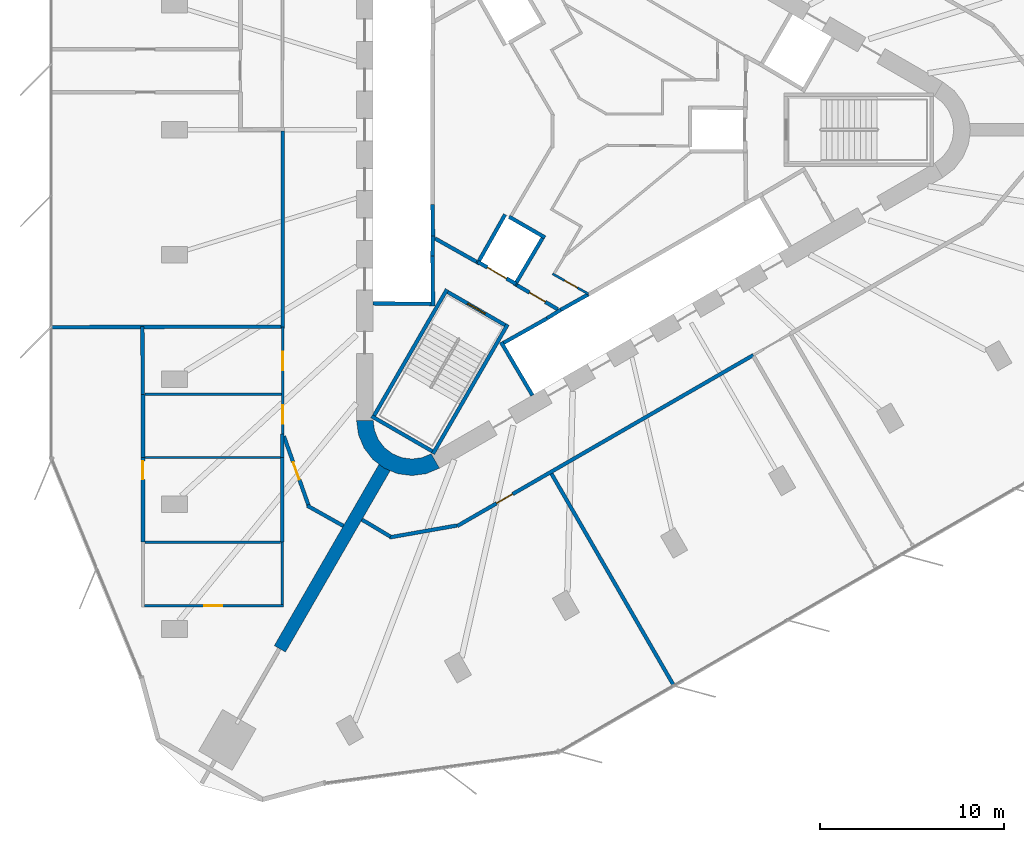
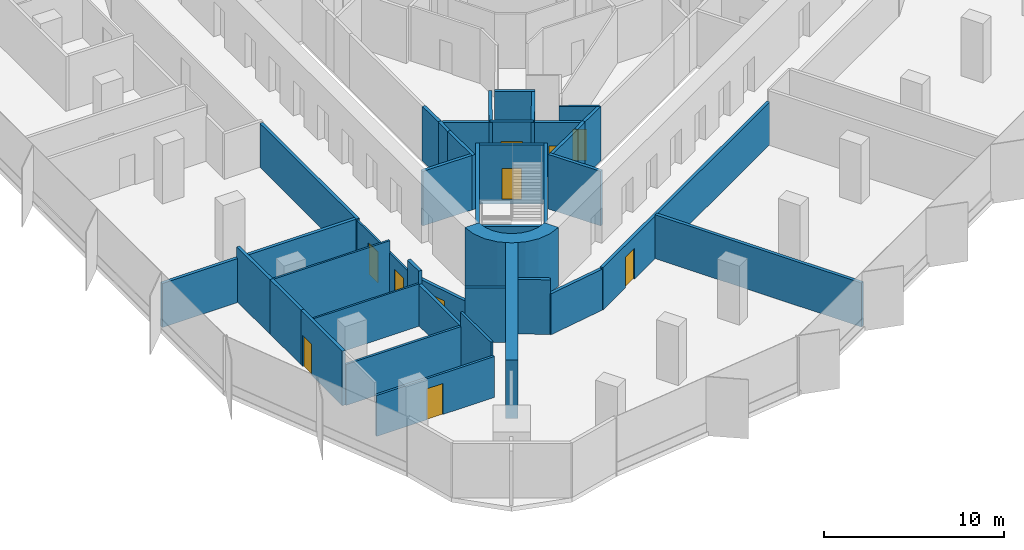
# One storey, part 8 of 14: 40 walls, 10 doors, 10 openings.
"""IFC4 building model written with IfcOpenShell, lengths in metres."""

from ifc_helpers import new_model, si_unit, direction, frame, frame_2d, origin, place, context, subcontext, project, spatial, polyline, rectangle, outline, extrude, material, layer, layer_set, type_object, element, fill, save


model = new_model("IFC4")

# Units and contexts
model_context = context("Model", 3, precision=1e-05, world=origin(), true_north=direction((0.0, 1.0)))
body_context = subcontext(model_context, "Body", "Model", "MODEL_VIEW")
ifc_project = project(units=[si_unit("LENGTHUNIT", "METRE"), si_unit("AREAUNIT", "SQUARE_METRE"), si_unit("VOLUMEUNIT", "CUBIC_METRE"), si_unit("PLANEANGLEUNIT", "RADIAN"), si_unit("MASSUNIT", "GRAM", prefix="KILO")], contexts=[model_context])

# Site, building, storey
site_placement = place(None, origin())
site = spatial("IfcSite", under=ifc_project, at=site_placement, CompositionType="ELEMENT")
building_placement = place(site_placement, origin())
building = spatial("IfcBuilding", under=site, at=building_placement, Name="Tanit Gate Tower", CompositionType="ELEMENT")
storey_placement = place(building_placement, frame((0.0, 0.0, 229.199951171875)))
storey = spatial("IfcBuildingStorey", under=building, at=storey_placement, Name="L51", CompositionType="ELEMENT", Elevation=229.199951171875)

# Walls
ifc_material_1 = material(Name="Concrete C50/60", Category="concrete")
ifc_layer_1 = layer(ifc_material_1, 0.699951171875)
ifc_layer_set_1 = layer_set([ifc_layer_1], Name="BUTTRESS FIN 700 C50/60")
wall_type_1 = type_object("IfcWallType", Name="BUTTRESS FIN 700 C50/60", PredefinedType="SHEAR", material=ifc_layer_set_1)
wall_1_placement = place(storey_placement, frame((-10.574951171875, -18.31640625, 0.0), z_axis=(0.0, 0.0, 1.0), x_axis=(-0.499996344484, -0.866027514288, 0.0)))
element("IfcWall", 1, at=wall_1_placement, inside=storey, type_object=wall_type_1, Name="BUTTRESS FIN", PredefinedType="SHEAR", context=body_context, shape_type="SweptSolid", body=[
    extrude(rectangle(XDim=11.3681640625, YDim=0.699951171875, at=frame_2d((5.68408203125, 0.0))), origin(), (0.0, 0.0, 1.0), 4.0),
])
ifc_material_2 = material(Name="Concrete C50/60", Category="concrete")
ifc_layer_2 = layer(ifc_material_2, 0.89990234375)
ifc_layer_set_2 = layer_set([ifc_layer_2], Name="CORE WALL 900 C50/60")
wall_type_2 = type_object("IfcWallType", Name="CORE WALL 900 C50/60", PredefinedType="SHEAR", material=ifc_layer_set_2)
wall_2_placement = place(storey_placement, origin())
element("IfcWall", 2, at=wall_2_placement, inside=storey, type_object=wall_type_2, Name="CORE WALL CORNER", PredefinedType="SHEAR", context=body_context, shape_type="SweptSolid", body=[
    extrude(outline(polyline([(-12.10009765625, -15.76171875), (-11.997802734375, -16.5380859375), (-11.697998046875, -17.26171875), (-11.22119140625, -17.883056640625), (-10.60009765625, -18.359619140625), (-9.87646484375, -18.659423828125), (-9.10009765625, -18.76171875), (-8.323486328125, -18.659423828125), (-7.60009765625, -18.359619140625), (-8.050048828125, -17.580322265625), (-8.556396484375, -17.7900390625), (-9.10009765625, -17.86181640625), (-9.6435546875, -17.7900390625), (-10.14990234375, -17.580322265625), (-10.5849609375, -17.24658203125), (-10.918701171875, -16.811767578125), (-11.12841796875, -16.30517578125), (-11.199951171875, -15.76171875), (-12.10009765625, -15.76171875)])), origin(), (0.0, 0.0, 1.0), 4.0),
])
ifc_material_3 = material(Name="Fire-rated gypsum board partition")
ifc_layer_3 = layer(ifc_material_3, 0.199951171875)
ifc_layer_set_3 = layer_set([ifc_layer_3], Name="INT-WALL-COMPARTMENT")
wall_type_3 = type_object("IfcWallType", Name="INT-WALL-COMPARTMENT", PredefinedType="PARTITIONING", material=ifc_layer_set_3)
wall_3_placement = place(storey_placement, frame((-7.84912109375, -5.893798828125, 0.0), z_axis=(0.0, 0.0, 1.0), x_axis=(0.871340486379, -0.490678873396, 0.0)))
element("IfcWall", 3, at=wall_3_placement, inside=storey, type_object=wall_type_3, Name="Wall Compartment W065", PredefinedType="PARTITIONING", context=body_context, shape_type="SweptSolid", body=[
    extrude(rectangle(XDim=2.580810546875, YDim=0.199951171875, at=frame_2d((1.29052734375, 0.0))), origin(), (0.0, 0.0, 1.0), 3.699951171875),
])

# Wall, opening, door
wall_4_placement = place(storey_placement, frame((-3.400634765625, -8.43017578125, 0.0), z_axis=(0.0, 0.0, 1.0), x_axis=(0.860598681535, -0.509283721849, 0.0)))
wall_4 = element("IfcWall", 4, at=wall_4_placement, inside=storey, type_object=wall_type_3, Name="Wall Compartment W066", PredefinedType="PARTITIONING", context=body_context, shape_type="SweptSolid", body=[
    extrude(rectangle(XDim=2.5810546875, YDim=0.199951171875, at=frame_2d((1.29052734375, 0.0))), origin(), (0.0, 0.0, 1.0), 3.699951171875),
])
opening_1_placement = place(wall_4_placement, frame((0.79052734375, 0.0, 0.0)))
opening_1 = element("IfcOpeningElement", 5, at=opening_1_placement, cuts=wall_4, Name="Opening F10-S14-08", PredefinedType="OPENING", context=body_context, shape_type="SweptSolid", body=[
    extrude(rectangle(XDim=1.0, YDim=2.10009765625, at=frame_2d((0.5, 1.050048828125))), frame((0.0, 0.10986328125, 0.0), z_axis=(0.0, -1.0, 0.0), x_axis=(1.0, 0.0, 0.0)), (0.0, 0.0, 1.0), 0.219970703125),
])
ifc_material_4 = material(Name="Fire-rated steel door leaf", Category="steel")
door_type_1 = type_object("IfcDoorType", Name="INT-DOOR-FIRE-1000", OperationType="NOTDEFINED", PredefinedType="USERDEFINED", material=ifc_material_4)
door_1_placement = place(opening_1_placement, origin())
door_1 = element("IfcDoor", 6, at=door_1_placement, inside=storey, type_object=door_type_1, Name="Door F10-S14-08", ObjectType="FIRE DOOR", OperationType="SINGLE_SWING_LEFT", OverallHeight=2.10009765625, OverallWidth=1.0, PredefinedType="USERDEFINED", context=body_context, shape_type="SweptSolid", body=[
    extrude(rectangle(XDim=1.0, YDim=2.10009765625, at=frame_2d((0.5, 1.050048828125))), frame((0.0, 0.02490234375, 0.0), z_axis=(0.0, -1.0, 0.0), x_axis=(1.0, 0.0, 0.0)), (0.0, 0.0, 1.0), 0.050048828125),
])
fill(opening_1, door_1)

# Wall
wall_5_placement = place(storey_placement, frame((-14.781005859375, -20.388671875, 0.0), z_axis=(0.0, 0.0, 1.0), x_axis=(0.871979734391, -0.489541972471, 0.0)))
element("IfcWall", 7, at=wall_5_placement, inside=storey, type_object=wall_type_3, Name="Wall Compartment W103", PredefinedType="PARTITIONING", context=body_context, shape_type="SweptSolid", body=[
    extrude(rectangle(XDim=2.256591796875, YDim=0.199951171875, at=frame_2d((1.12841796875, 0.0))), origin(), (0.0, 0.0, 1.0), 3.699951171875),
])

# Wall, opening, door
wall_6_placement = place(storey_placement, frame((-16.04248046875, -16.623046875, 0.0), z_axis=(0.0, 0.0, 1.0), x_axis=(0.335572111171, -0.942014521228, 0.0)))
wall_6 = element("IfcWall", 8, at=wall_6_placement, inside=storey, type_object=wall_type_3, Name="Wall Compartment W104", PredefinedType="PARTITIONING", context=body_context, shape_type="SweptSolid", body=[
    extrude(rectangle(XDim=4.00732421875, YDim=0.199951171875, at=frame_2d((2.003662109375, 0.0))), origin(), (0.0, 0.0, 1.0), 2.780029296875),
])
opening_2_placement = place(wall_6_placement, frame((1.503662109375, 0.0, 0.0)))
opening_2 = element("IfcOpeningElement", 9, at=opening_2_placement, cuts=wall_6, Name="Opening F10-S14-31", PredefinedType="OPENING", context=body_context, shape_type="SweptSolid", body=[
    extrude(rectangle(XDim=1.0, YDim=2.10009765625, at=frame_2d((0.5, 1.050048828125))), frame((0.0, 0.10986328125, 0.0), z_axis=(0.0, -1.0, 0.0), x_axis=(1.0, 0.0, 0.0)), (0.0, 0.0, 1.0), 0.219970703125),
])
door_2_placement = place(opening_2_placement, origin())
door_2 = element("IfcDoor", 10, at=door_2_placement, inside=storey, type_object=door_type_1, Name="Door F10-S14-31", ObjectType="FIRE DOOR", OperationType="SINGLE_SWING_LEFT", OverallHeight=2.10009765625, OverallWidth=1.0, PredefinedType="USERDEFINED", context=body_context, shape_type="SweptSolid", body=[
    extrude(rectangle(XDim=1.0, YDim=2.10009765625, at=frame_2d((0.5, 1.050048828125))), frame((0.0, 0.02490234375, 0.0), z_axis=(0.0, -1.0, 0.0), x_axis=(1.0, 0.0, 0.0)), (0.0, 0.0, 1.0), 0.050048828125),
])
fill(opening_2, door_2)

# Wall
wall_7_placement = place(storey_placement, frame((-16.10009765625, -0.070068359375, 0.0), z_axis=(0.0, 0.0, 1.0), x_axis=(0.0, -1.0, 0.0)))
element("IfcWall", 11, at=wall_7_placement, inside=storey, type_object=wall_type_3, Name="Wall Compartment W105", PredefinedType="PARTITIONING", context=body_context, shape_type="SweptSolid", body=[
    extrude(rectangle(XDim=10.709716796875, YDim=0.199951171875, at=frame_2d((5.35498046875, 0.0))), origin(), (0.0, 0.0, 1.0), 2.97998046875),
])

# Wall, opening, door
wall_8_placement = place(storey_placement, frame((-6.64404296875, -21.5029296875, 0.0), z_axis=(0.0, 0.0, 1.0), x_axis=(0.866020815794, 0.500007946548, 0.0)))
wall_8 = element("IfcWall", 12, at=wall_8_placement, inside=storey, type_object=wall_type_3, Name="Wall Compartment W120", PredefinedType="PARTITIONING", context=body_context, shape_type="SweptSolid", body=[
    extrude(rectangle(XDim=18.555419921875, YDim=0.199951171875, at=frame_2d((9.27783203125, 0.0))), origin(), (0.0, 0.0, 1.0), 2.880126953125),
])
opening_3_placement = place(wall_8_placement, frame((2.476806640625, 0.0, 0.0)))
opening_3 = element("IfcOpeningElement", 13, at=opening_3_placement, cuts=wall_8, Name="Opening F10-S14-38", PredefinedType="OPENING", context=body_context, shape_type="SweptSolid", body=[
    extrude(rectangle(XDim=1.0, YDim=2.10009765625, at=frame_2d((0.5, 1.050048828125))), frame((0.0, 0.10986328125, 0.0), z_axis=(0.0, -1.0, 0.0), x_axis=(1.0, 0.0, 0.0)), (0.0, 0.0, 1.0), 0.219970703125),
])
door_3_placement = place(opening_3_placement, origin())
door_3 = element("IfcDoor", 14, at=door_3_placement, inside=storey, type_object=door_type_1, Name="Door F10-S14-38", ObjectType="FIRE DOOR", OperationType="SINGLE_SWING_RIGHT", OverallHeight=2.10009765625, OverallWidth=1.0, PredefinedType="USERDEFINED", context=body_context, shape_type="SweptSolid", body=[
    extrude(rectangle(XDim=1.0, YDim=2.10009765625, at=frame_2d((0.5, 1.050048828125))), frame((0.0, 0.02490234375, 0.0), z_axis=(0.0, -1.0, 0.0), x_axis=(1.0, 0.0, 0.0)), (0.0, 0.0, 1.0), 0.050048828125),
])
fill(opening_3, door_3)

# Walls
wall_9_placement = place(storey_placement, frame((-10.33154296875, -22.118408203125, 0.0), z_axis=(0.0, 0.0, 1.0), x_axis=(0.984805281118, 0.173662195893, 0.0)))
element("IfcWall", 15, at=wall_9_placement, inside=storey, type_object=wall_type_3, Name="Wall Compartment W121", PredefinedType="PARTITIONING", context=body_context, shape_type="SweptSolid", body=[
    extrude(rectangle(XDim=3.732421875, YDim=0.199951171875, at=frame_2d((1.8662109375, 0.0))), origin(), (0.0, 0.0, 1.0), 2.780029296875),
])
wall_10_placement = place(storey_placement, frame((-11.807373046875, -21.15087890625, 0.0), z_axis=(0.0, 0.0, 1.0), x_axis=(0.859102811579, -0.511803047214, 0.0)))
element("IfcWall", 16, at=wall_10_placement, inside=storey, type_object=wall_type_3, Name="Wall Compartment W122", PredefinedType="PARTITIONING", context=body_context, shape_type="SweptSolid", body=[
    extrude(rectangle(XDim=1.8017578125, YDim=0.199951171875, at=frame_2d((0.90087890625, 0.0))), origin(), (0.0, 0.0, 1.0), 3.699951171875),
])
wall_11_placement = place(storey_placement, frame((-28.654296875, -10.710693359375, 0.0), z_axis=(0.0, 0.0, 1.0), x_axis=(0.999996949666, 0.002469951104, 0.0)))
element("IfcWall", 17, at=wall_11_placement, inside=storey, type_object=wall_type_3, Name="Wall Compartment W125", PredefinedType="PARTITIONING", context=body_context, shape_type="SweptSolid", body=[
    extrude(rectangle(XDim=12.454345703125, YDim=0.199951171875, at=frame_2d((6.22705078125, 0.0))), origin(), (0.0, 0.0, 1.0), 2.97998046875),
])
wall_12_placement = place(storey_placement, frame((-23.6904296875, -14.3505859375, 0.0), z_axis=(0.0, 0.0, 1.0), x_axis=(-0.008048698241, 0.999967608704, 0.0)))
element("IfcWall", 18, at=wall_12_placement, inside=storey, type_object=wall_type_3, Name="Wall Compartment W128", PredefinedType="PARTITIONING", context=body_context, shape_type="SweptSolid", body=[
    extrude(rectangle(XDim=3.670166015625, YDim=0.199951171875, at=frame_2d((1.8349609375, 0.0))), origin(), (0.0, 0.0, 1.0), 3.699951171875),
])

# Wall, opening, door
wall_13_placement = place(storey_placement, frame((-23.68994140625, -22.373046875, 0.0), z_axis=(0.0, 0.0, 1.0), x_axis=(0.0, 1.0, 0.0)))
wall_13 = element("IfcWall", 19, at=wall_13_placement, inside=storey, type_object=wall_type_3, Name="Wall Compartment W131", PredefinedType="PARTITIONING", context=body_context, shape_type="SweptSolid", body=[
    extrude(rectangle(XDim=4.60009765625, YDim=0.199951171875, at=frame_2d((2.300048828125, 0.0))), origin(), (0.0, 0.0, 1.0), 3.699951171875),
])
opening_4_placement = place(wall_13_placement, frame((3.400146484375, 0.0, 0.0)))
opening_4 = element("IfcOpeningElement", 20, at=opening_4_placement, cuts=wall_13, Name="Opening F10-S14-29", PredefinedType="OPENING", context=body_context, shape_type="SweptSolid", body=[
    extrude(rectangle(XDim=1.0, YDim=2.10009765625, at=frame_2d((0.5, 1.050048828125))), frame((0.0, 0.10986328125, 0.0), z_axis=(0.0, -1.0, 0.0), x_axis=(1.0, 0.0, 0.0)), (0.0, 0.0, 1.0), 0.219970703125),
])
door_4_placement = place(opening_4_placement, origin())
door_4 = element("IfcDoor", 21, at=door_4_placement, inside=storey, type_object=door_type_1, Name="Door F10-S14-29", ObjectType="FIRE DOOR", OperationType="SINGLE_SWING_RIGHT", OverallHeight=2.10009765625, OverallWidth=1.0, PredefinedType="USERDEFINED", context=body_context, shape_type="SweptSolid", body=[
    extrude(rectangle(XDim=1.0, YDim=2.10009765625, at=frame_2d((0.5, 1.050048828125))), frame((0.0, 0.02490234375, 0.0), z_axis=(0.0, -1.0, 0.0), x_axis=(1.0, 0.0, 0.0)), (0.0, 0.0, 1.0), 0.050048828125),
])
fill(opening_4, door_4)

# Walls
wall_14_placement = place(storey_placement, frame((-23.68994140625, -17.77294921875, 0.0), z_axis=(0.0, 0.0, 1.0), x_axis=(0.0, 1.0, 0.0)))
element("IfcWall", 22, at=wall_14_placement, inside=storey, type_object=wall_type_3, Name="Wall Compartment W129", PredefinedType="PARTITIONING", context=body_context, shape_type="SweptSolid", body=[
    extrude(rectangle(XDim=3.42236328125, YDim=0.199951171875, at=frame_2d((1.711181640625, 0.0))), origin(), (0.0, 0.0, 1.0), 3.699951171875),
])
wall_15_placement = place(storey_placement, frame((-16.1298828125, -22.373046875, 0.0), z_axis=(0.0, 0.0, 1.0), x_axis=(0.0, 1.0, 0.0)))
element("IfcWall", 23, at=wall_15_placement, inside=storey, type_object=wall_type_3, Name="Wall Compartment W132", PredefinedType="PARTITIONING", context=body_context, shape_type="SweptSolid", body=[
    extrude(rectangle(XDim=4.60009765625, YDim=0.199951171875, at=frame_2d((2.300048828125, 0.0))), origin(), (0.0, 0.0, 1.0), 2.780029296875),
])
wall_16_placement = place(storey_placement, frame((-16.1298828125, -17.77294921875, 0.0), z_axis=(0.0, 0.0, 1.0), x_axis=(0.0, 1.0, 0.0)))
element("IfcWall", 24, at=wall_16_placement, inside=storey, type_object=wall_type_3, Name="Wall Compartment W130", PredefinedType="PARTITIONING", context=body_context, shape_type="SweptSolid", body=[
    extrude(rectangle(XDim=1.26025390625, YDim=0.199951171875, at=frame_2d((0.630126953125, 0.0))), origin(), (0.0, 0.0, 1.0), 3.699951171875),
])
wall_17_placement = place(storey_placement, frame((5.104248046875, -30.14208984375, 0.0), z_axis=(0.0, 0.0, 1.0), x_axis=(-0.500068930226, 0.865985603242, 0.0)))
element("IfcWall", 25, at=wall_17_placement, inside=storey, type_object=wall_type_3, Name="Wall Compartment W152", PredefinedType="PARTITIONING", context=body_context, shape_type="SweptSolid", body=[
    extrude(rectangle(XDim=13.256103515625, YDim=0.199951171875, at=frame_2d((6.6279296875, 0.0))), origin(), (0.0, 0.0, 1.0), 2.97998046875),
])

# Wall, opening, door
ifc_material_5 = material(Name="Gypsum board partition")
ifc_layer_4 = layer(ifc_material_5, 0.1201171875)
ifc_layer_set_4 = layer_set([ifc_layer_4], Name="INT-WALL-PARTITION")
wall_type_4 = type_object("IfcWallType", Name="INT-WALL-PARTITION", PredefinedType="PARTITIONING", material=ifc_layer_set_4)
wall_18_placement = place(storey_placement, frame((-1.464111328125, -7.81591796875, 0.0), z_axis=(0.0, 0.0, 1.0), x_axis=(0.871880202732, -0.489719217597, 0.0)))
wall_18 = element("IfcWall", 26, at=wall_18_placement, inside=storey, type_object=wall_type_4, Name="Wall Partition W071", PredefinedType="PARTITIONING", context=body_context, shape_type="SweptSolid", body=[
    extrude(rectangle(XDim=2.224365234375, YDim=0.1201171875, at=frame_2d((1.1123046875, 0.0))), origin(), (0.0, 0.0, 1.0), 3.699951171875),
])
opening_5_placement = place(wall_18_placement, frame((0.7421875, 0.0, 0.0)))
opening_5 = element("IfcOpeningElement", 27, at=opening_5_placement, cuts=wall_18, Name="Opening R08-S14-11", PredefinedType="OPENING", context=body_context, shape_type="SweptSolid", body=[
    extrude(rectangle(XDim=0.800048828125, YDim=2.10009765625, at=frame_2d((0.39990234375, 1.050048828125))), frame((0.0, 0.070068359375, 0.0), z_axis=(0.0, -1.0, 0.0), x_axis=(1.0, 0.0, 0.0)), (0.0, 0.0, 1.0), 0.14013671875),
])
ifc_material_6 = material(Name="Timber door leaf", Category="wood")
door_type_2 = type_object("IfcDoorType", Name="INT-DOOR-RISER-800", OperationType="NOTDEFINED", PredefinedType="USERDEFINED", material=ifc_material_6)
door_5_placement = place(opening_5_placement, origin())
door_5 = element("IfcDoor", 28, at=door_5_placement, inside=storey, type_object=door_type_2, Name="Door R08-S14-11", ObjectType="FIRE DOOR", OperationType="SINGLE_SWING_LEFT", OverallHeight=2.10009765625, OverallWidth=0.800048828125, PredefinedType="USERDEFINED", context=body_context, shape_type="SweptSolid", body=[
    extrude(rectangle(XDim=0.800048828125, YDim=2.10009765625, at=frame_2d((0.39990234375, 1.050048828125))), frame((0.0, 0.02490234375, 0.0), z_axis=(0.0, -1.0, 0.0), x_axis=(1.0, 0.0, 0.0)), (0.0, 0.0, 1.0), 0.050048828125),
])
fill(opening_5, door_5)

# Wall, openings, doors
wall_19_placement = place(storey_placement, frame((-16.10009765625, -10.709716796875, 0.0), z_axis=(0.0, 0.0, 1.0), x_axis=(0.0, -1.0, 0.0)))
wall_19 = element("IfcWall", 29, at=wall_19_placement, inside=storey, type_object=wall_type_4, Name="Wall Partition W106", PredefinedType="PARTITIONING", context=body_context, shape_type="SweptSolid", body=[
    extrude(rectangle(XDim=5.802978515625, YDim=0.1201171875, at=frame_2d((2.9013671875, 0.0))), origin(), (0.0, 0.0, 1.0), 2.880126953125),
])
opening_6_placement = place(wall_19_placement, frame((1.335205078125, 0.0, 0.0)))
opening_6 = element("IfcOpeningElement", 30, at=opening_6_placement, cuts=wall_19, Name="Opening D10-S14-27", PredefinedType="OPENING", context=body_context, shape_type="SweptSolid", body=[
    extrude(rectangle(XDim=1.0, YDim=2.10009765625, at=frame_2d((0.5, 1.050048828125))), frame((0.0, 0.070068359375, 0.0), z_axis=(0.0, -1.0, 0.0), x_axis=(1.0, 0.0, 0.0)), (0.0, 0.0, 1.0), 0.14013671875),
])
opening_7_placement = place(wall_19_placement, frame((4.23681640625, 0.0, 0.0)))
opening_7 = element("IfcOpeningElement", 31, at=opening_7_placement, cuts=wall_19, Name="Opening D10-S14-28", PredefinedType="OPENING", context=body_context, shape_type="SweptSolid", body=[
    extrude(rectangle(XDim=1.0, YDim=2.10009765625, at=frame_2d((0.5, 1.050048828125))), frame((0.0, 0.070068359375, 0.0), z_axis=(0.0, -1.0, 0.0), x_axis=(1.0, 0.0, 0.0)), (0.0, 0.0, 1.0), 0.14013671875),
])
ifc_material_7 = material(Name="Timber door leaf", Category="wood")
door_type_3 = type_object("IfcDoorType", Name="INT-DOOR-SINGLE-1000", OperationType="NOTDEFINED", PredefinedType="NOTDEFINED", material=ifc_material_7)
door_6_placement = place(opening_6_placement, origin())
door_6 = element("IfcDoor", 32, at=door_6_placement, inside=storey, type_object=door_type_3, Name="Door D10-S14-27", OperationType="SINGLE_SWING_LEFT", OverallHeight=2.10009765625, OverallWidth=1.0, PredefinedType="NOTDEFINED", context=body_context, shape_type="SweptSolid", body=[
    extrude(rectangle(XDim=1.0, YDim=2.10009765625, at=frame_2d((0.5, 1.050048828125))), frame((0.0, 0.02490234375, 0.0), z_axis=(0.0, -1.0, 0.0), x_axis=(1.0, 0.0, 0.0)), (0.0, 0.0, 1.0), 0.050048828125),
])
fill(opening_6, door_6)
door_7_placement = place(opening_7_placement, origin())
door_7 = element("IfcDoor", 33, at=door_7_placement, inside=storey, type_object=door_type_3, Name="Door D10-S14-28", OperationType="SINGLE_SWING_RIGHT", OverallHeight=2.10009765625, OverallWidth=1.0, PredefinedType="NOTDEFINED", context=body_context, shape_type="SweptSolid", body=[
    extrude(rectangle(XDim=1.0, YDim=2.10009765625, at=frame_2d((0.5, 1.050048828125))), frame((0.0, 0.02490234375, 0.0), z_axis=(0.0, -1.0, 0.0), x_axis=(1.0, 0.0, 0.0)), (0.0, 0.0, 1.0), 0.050048828125),
])
fill(opening_7, door_7)

# Walls
wall_20_placement = place(storey_placement, frame((-23.590087890625, -14.3505859375, 0.0), z_axis=(0.0, 0.0, 1.0), x_axis=(1.0, 0.0, 0.0)))
element("IfcWall", 34, at=wall_20_placement, inside=storey, type_object=wall_type_4, Name="Wall Partition W157", PredefinedType="PARTITIONING", context=body_context, shape_type="SweptSolid", body=[
    extrude(rectangle(XDim=7.460205078125, YDim=0.1201171875, at=frame_2d((3.72998046875, 0.0))), origin(), (0.0, 0.0, 1.0), 3.699951171875),
])
wall_21_placement = place(storey_placement, frame((-16.22998046875, -17.77294921875, 0.0), z_axis=(0.0, 0.0, 1.0), x_axis=(-1.0, 0.0, 0.0)))
element("IfcWall", 35, at=wall_21_placement, inside=storey, type_object=wall_type_4, Name="Wall Partition W158", PredefinedType="PARTITIONING", context=body_context, shape_type="SweptSolid", body=[
    extrude(rectangle(XDim=7.360107421875, YDim=0.1201171875, at=frame_2d((3.68017578125, 0.0))), origin(), (0.0, 0.0, 1.0), 2.880126953125),
])

# Wall, opening, door
ifc_material_8 = material(Name="Fire-rated gypsum board partition")
ifc_layer_5 = layer(ifc_material_8, 0.14990234375)
ifc_layer_set_5 = layer_set([ifc_layer_5], Name="INT-WALL-RISER")
wall_type_5 = type_object("IfcWallType", Name="INT-WALL-RISER", PredefinedType="PLUMBINGWALL", material=ifc_layer_set_5)
wall_22_placement = place(storey_placement, frame((-23.614990234375, -25.820068359375, 0.0), z_axis=(0.0, 0.0, 1.0), x_axis=(1.0, 0.0, 0.0)))
wall_22 = element("IfcWall", 36, at=wall_22_placement, inside=storey, type_object=wall_type_5, Name="Wall Riser W134", PredefinedType="PLUMBINGWALL", context=body_context, shape_type="SweptSolid", body=[
    extrude(rectangle(XDim=7.56005859375, YDim=0.14990234375, at=frame_2d((3.780029296875, 0.0))), origin(), (0.0, 0.0, 1.0), 2.780029296875),
])
opening_8_placement = place(wall_22_placement, frame((3.242431640625, 0.0, 0.0)))
opening_8 = element("IfcOpeningElement", 37, at=opening_8_placement, cuts=wall_22, Name="Opening F10-S14-30", PredefinedType="OPENING", context=body_context, shape_type="SweptSolid", body=[
    extrude(rectangle(XDim=1.0, YDim=2.10009765625, at=frame_2d((0.5, 1.050048828125))), frame((0.0, 0.0849609375, 0.0), z_axis=(0.0, -1.0, 0.0), x_axis=(1.0, 0.0, 0.0)), (0.0, 0.0, 1.0), 0.169921875),
])
door_8_placement = place(opening_8_placement, origin())
door_8 = element("IfcDoor", 38, at=door_8_placement, inside=storey, type_object=door_type_1, Name="Door F10-S14-30", ObjectType="FIRE DOOR", OperationType="SINGLE_SWING_RIGHT", OverallHeight=2.10009765625, OverallWidth=1.0, PredefinedType="USERDEFINED", context=body_context, shape_type="SweptSolid", body=[
    extrude(rectangle(XDim=1.0, YDim=2.10009765625, at=frame_2d((0.5, 1.050048828125))), frame((0.0, 0.02490234375, 0.0), z_axis=(0.0, -1.0, 0.0), x_axis=(1.0, 0.0, 0.0)), (0.0, 0.0, 1.0), 0.050048828125),
])
fill(opening_8, door_8)

# Walls
wall_23_placement = place(storey_placement, frame((-16.1298828125, -25.7451171875, 0.0), z_axis=(0.0, 0.0, 1.0), x_axis=(0.0, 1.0, 0.0)))
element("IfcWall", 39, at=wall_23_placement, inside=storey, type_object=wall_type_5, Name="Wall Riser W135", PredefinedType="PLUMBINGWALL", context=body_context, shape_type="SweptSolid", body=[
    extrude(rectangle(XDim=3.3720703125, YDim=0.14990234375, at=frame_2d((1.68603515625, 0.0))), origin(), (0.0, 0.0, 1.0), 3.699951171875),
])
wall_24_placement = place(storey_placement, frame((-23.590087890625, -22.38037109375, 0.0), z_axis=(0.0, 0.0, 1.0), x_axis=(1.0, 0.0, 0.0)))
element("IfcWall", 40, at=wall_24_placement, inside=storey, type_object=wall_type_5, Name="Wall Riser W159", PredefinedType="PLUMBINGWALL", context=body_context, shape_type="SweptSolid", body=[
    extrude(rectangle(XDim=7.360107421875, YDim=0.14990234375, at=frame_2d((3.68017578125, 0.0))), origin(), (0.0, 0.0, 1.0), 2.780029296875),
])
ifc_material_9 = material(Name="Gypsum shaft wall system")
ifc_layer_6 = layer(ifc_material_9, 0.199951171875)
ifc_layer_set_6 = layer_set([ifc_layer_6], Name="INT-WALL-SHAFT")
wall_type_6 = type_object("IfcWallType", Name="INT-WALL-SHAFT", PredefinedType="PLUMBINGWALL", material=ifc_layer_set_6)
wall_25_placement = place(storey_placement, frame((-7.949951171875, -5.7724609375, 0.0), z_axis=(0.0, 0.0, 1.0), x_axis=(-0.030803413295, -0.999525462272, 0.0)))
element("IfcWall", 41, at=wall_25_placement, inside=storey, type_object=wall_type_6, Name="Wall Shaft W008", PredefinedType="PLUMBINGWALL", context=body_context, shape_type="SweptSolid", body=[
    extrude(rectangle(XDim=1.077880859375, YDim=0.199951171875, at=frame_2d((0.5390625, 0.0))), origin(), (0.0, 0.0, 1.0), 3.699951171875),
])
wall_26_placement = place(storey_placement, frame((-7.97998046875, -4.050048828125, 0.0), z_axis=(0.0, 0.0, 1.0), x_axis=(0.016809909365, -0.999858703491, 0.0)))
element("IfcWall", 42, at=wall_26_placement, inside=storey, type_object=wall_type_6, Name="Wall Shaft W009", PredefinedType="PLUMBINGWALL", context=body_context, shape_type="SweptSolid", body=[
    extrude(rectangle(XDim=1.844482421875, YDim=0.199951171875, at=frame_2d((0.92236328125, 0.0))), origin(), (0.0, 0.0, 1.0), 3.699951171875),
])
wall_27_placement = place(storey_placement, frame((-7.97900390625, -6.85009765625, 0.0), z_axis=(0.0, 0.0, 1.0), x_axis=(0.011121475088, -0.999938154483, 0.0)))
element("IfcWall", 43, at=wall_27_placement, inside=storey, type_object=wall_type_6, Name="Wall Shaft W010", PredefinedType="PLUMBINGWALL", context=body_context, shape_type="SweptSolid", body=[
    extrude(rectangle(XDim=2.7001953125, YDim=0.199951171875, at=frame_2d((1.35009765625, 0.0))), origin(), (0.0, 0.0, 1.0), 3.699951171875),
])
wall_28_placement = place(storey_placement, frame((-8.050048828125, -9.448974609375, 0.0), z_axis=(0.0, 0.0, 1.0), x_axis=(-0.999957467379, 0.009222983926, 0.0)))
element("IfcWall", 44, at=wall_28_placement, inside=storey, type_object=wall_type_6, Name="Wall Shaft W011", PredefinedType="PLUMBINGWALL", context=body_context, shape_type="SweptSolid", body=[
    extrude(rectangle(XDim=3.150146484375, YDim=0.199951171875, at=frame_2d((1.5751953125, 0.0))), origin(), (0.0, 0.0, 1.0), 3.699951171875),
])
wall_29_placement = place(storey_placement, frame((-2.557861328125, -14.409423828125, 0.0), z_axis=(0.0, 0.0, 1.0), x_axis=(-0.507997497166, 0.861358544901, 0.0)))
element("IfcWall", 45, at=wall_29_placement, inside=storey, type_object=wall_type_6, Name="Wall Shaft W019", PredefinedType="PLUMBINGWALL", context=body_context, shape_type="SweptSolid", body=[
    extrude(rectangle(XDim=3.350341796875, YDim=0.199951171875, at=frame_2d((1.67529296875, 0.0))), origin(), (0.0, 0.0, 1.0), 3.699951171875),
])
wall_30_placement = place(storey_placement, frame((-1.7685546875, -10.23681640625, 0.0), z_axis=(0.0, 0.0, 1.0), x_axis=(-0.871534483978, -0.490334215854, 0.0)))
element("IfcWall", 46, at=wall_30_placement, inside=storey, type_object=wall_type_6, Name="Wall Shaft W020", PredefinedType="PLUMBINGWALL", context=body_context, shape_type="SweptSolid", body=[
    extrude(rectangle(XDim=2.7001953125, YDim=0.199951171875, at=frame_2d((1.35009765625, 0.0))), origin(), (0.0, 0.0, 1.0), 3.699951171875),
])
wall_31_placement = place(storey_placement, frame((-1.02392578125, -9.77099609375, 0.0), z_axis=(0.0, 0.0, 1.0), x_axis=(-0.850348075135, -0.526220629693, 0.0)))
element("IfcWall", 47, at=wall_31_placement, inside=storey, type_object=wall_type_6, Name="Wall Shaft W021", PredefinedType="PLUMBINGWALL", context=body_context, shape_type="SweptSolid", body=[
    extrude(rectangle(XDim=0.878173828125, YDim=0.199951171875, at=frame_2d((0.43896484375, 0.0))), origin(), (0.0, 0.0, 1.0), 3.699951171875),
])
wall_32_placement = place(storey_placement, frame((-1.13037109375, -9.83154296875, 0.0), z_axis=(0.0, 0.0, 1.0), x_axis=(0.871988740738, 0.489525929882, 0.0)))
element("IfcWall", 48, at=wall_32_placement, inside=storey, type_object=wall_type_6, Name="Wall Shaft W022", PredefinedType="PLUMBINGWALL", context=body_context, shape_type="SweptSolid", body=[
    extrude(rectangle(XDim=1.8447265625, YDim=0.199951171875, at=frame_2d((0.92236328125, 0.0))), origin(), (0.0, 0.0, 1.0), 3.699951171875),
])

# Wall, opening, door
wall_33_placement = place(storey_placement, frame((-3.44580078125, -8.3681640625, 0.0), z_axis=(0.0, 0.0, 1.0), x_axis=(-0.866024647952, 0.500001309137, 0.0)))
wall_33 = element("IfcWall", 49, at=wall_33_placement, inside=storey, type_object=wall_type_6, Name="Wall Shaft W045", PredefinedType="PLUMBINGWALL", context=body_context, shape_type="SweptSolid", body=[
    extrude(rectangle(XDim=2.39990234375, YDim=0.199951171875, at=frame_2d((1.199951171875, 0.0))), origin(), (0.0, 0.0, 1.0), 3.699951171875),
])
opening_9_placement = place(wall_33_placement, frame((0.60009765625, 0.0, 0.0)))
opening_9 = element("IfcOpeningElement", 50, at=opening_9_placement, cuts=wall_33, Name="Opening LDFL3-L51", PredefinedType="OPENING", context=body_context, shape_type="SweptSolid", body=[
    extrude(rectangle(XDim=1.199951171875, YDim=2.39990234375, at=frame_2d((0.60009765625, 1.199951171875))), frame((0.0, 0.10986328125, 0.0), z_axis=(0.0, -1.0, 0.0), x_axis=(1.0, 0.0, 0.0)), (0.0, 0.0, 1.0), 0.219970703125),
])
ifc_material_10 = material(Name="Stainless steel sliding door leaf", Category="steel")
door_type_4 = type_object("IfcDoorType", Name="INT-DOOR-LANDING-1200", OperationType="NOTDEFINED", PredefinedType="USERDEFINED", material=ifc_material_10)
door_9_placement = place(opening_9_placement, origin())
door_9 = element("IfcDoor", 51, at=door_9_placement, inside=storey, type_object=door_type_4, Name="Door LDFL3-L51", ObjectType="LANDING DOOR", OperationType="SLIDING_TO_LEFT", OverallHeight=2.39990234375, OverallWidth=1.199951171875, PredefinedType="USERDEFINED", context=body_context, shape_type="SweptSolid", body=[
    extrude(rectangle(XDim=1.199951171875, YDim=2.39990234375, at=frame_2d((0.60009765625, 1.199951171875))), frame((0.0, 0.02490234375, 0.0), z_axis=(0.0, -1.0, 0.0), x_axis=(1.0, 0.0, 0.0)), (0.0, 0.0, 1.0), 0.050048828125),
])
fill(opening_9, door_9)

# Walls
wall_34_placement = place(storey_placement, frame((-5.5625, -7.29638671875, 0.0), z_axis=(0.0, 0.0, 1.0), x_axis=(0.491322718731, 0.870977603649, 0.0)))
element("IfcWall", 52, at=wall_34_placement, inside=storey, type_object=wall_type_6, Name="Wall Shaft W046", PredefinedType="PLUMBINGWALL", context=body_context, shape_type="SweptSolid", body=[
    extrude(rectangle(XDim=3.10009765625, YDim=0.199951171875, at=frame_2d((1.550048828125, 0.0))), origin(), (0.0, 0.0, 1.0), 3.699951171875),
])
wall_35_placement = place(storey_placement, frame((-3.82666015625, -4.718994140625, 0.0), z_axis=(0.0, 0.0, 1.0), x_axis=(0.866028691075, -0.499994306202, 0.0)))
element("IfcWall", 53, at=wall_35_placement, inside=storey, type_object=wall_type_6, Name="Wall Shaft W047", PredefinedType="PLUMBINGWALL", context=body_context, shape_type="SweptSolid", body=[
    extrude(rectangle(XDim=2.25439453125, YDim=0.199951171875, at=frame_2d((1.127197265625, 0.0))), origin(), (0.0, 0.0, 1.0), 3.699951171875),
])
wall_36_placement = place(storey_placement, frame((-2.01171875, -5.88232421875, 0.0), z_axis=(0.0, 0.0, 1.0), x_axis=(-0.508619639323, -0.860991325447, 0.0)))
element("IfcWall", 54, at=wall_36_placement, inside=storey, type_object=wall_type_6, Name="Wall Shaft W048", PredefinedType="PLUMBINGWALL", context=body_context, shape_type="SweptSolid", body=[
    extrude(rectangle(XDim=3.0, YDim=0.199951171875, at=frame_2d((1.5, 0.0))), origin(), (0.0, 0.0, 1.0), 3.699951171875),
])
ifc_material_11 = material(Name="Concrete C40/50", Category="concrete")
ifc_layer_7 = layer(ifc_material_11, 0.199951171875)
ifc_layer_set_7 = layer_set([ifc_layer_7], Name="INT-WALL-STAIR")
wall_type_7 = type_object("IfcWallType", Name="INT-WALL-STAIR", PredefinedType="SHEAR", material=ifc_layer_set_7)
wall_37_placement = place(storey_placement, frame((-3.904541015625, -10.56298828125, -0.300048828125), z_axis=(0.0, 0.0, 1.0), x_axis=(-0.500012932018, -0.866017937352, 0.0)))
element("IfcWall", 55, at=wall_37_placement, inside=storey, type_object=wall_type_7, Name="Wall Stair W041", PredefinedType="SHEAR", context=body_context, shape_type="SweptSolid", body=[
    extrude(rectangle(XDim=8.099853515625, YDim=0.199951171875, at=frame_2d((4.0498046875, 0.0))), origin(), (0.0, 0.0, 1.0), 4.0),
])
wall_38_placement = place(storey_placement, frame((-11.281982421875, -15.541015625, -0.300048828125), z_axis=(0.0, 0.0, 1.0), x_axis=(0.866000483506, -0.500043160704, 0.0)))
element("IfcWall", 56, at=wall_38_placement, inside=storey, type_object=wall_type_7, Name="Wall Stair W042", PredefinedType="SHEAR", context=body_context, shape_type="SweptSolid", body=[
    extrude(rectangle(XDim=3.800048828125, YDim=0.199951171875, at=frame_2d((1.89990234375, 0.0))), origin(), (0.0, 0.0, 1.0), 4.0),
])
wall_39_placement = place(storey_placement, frame((-7.195556640625, -8.662841796875, -0.300048828125), z_axis=(0.0, 0.0, 1.0), x_axis=(-0.499997992926, -0.866026562566, 0.0)))
element("IfcWall", 57, at=wall_39_placement, inside=storey, type_object=wall_type_7, Name="Wall Stair W043", PredefinedType="SHEAR", context=body_context, shape_type="SweptSolid", body=[
    extrude(rectangle(XDim=7.89990234375, YDim=0.199951171875, at=frame_2d((3.949951171875, 0.0))), origin(), (0.0, 0.0, 1.0), 4.0),
])

# Wall, opening, door
wall_40_placement = place(storey_placement, frame((-4.041259765625, -10.599365234375, -0.300048828125), z_axis=(0.0, 0.0, 1.0), x_axis=(-0.866047807691, 0.499961193289, 0.0)))
wall_40 = element("IfcWall", 58, at=wall_40_placement, inside=storey, type_object=wall_type_7, Name="Wall Stair W044", PredefinedType="SHEAR", context=body_context, shape_type="SweptSolid", body=[
    extrude(rectangle(XDim=3.599853515625, YDim=0.199951171875, at=frame_2d((1.7998046875, 0.0))), origin(), (0.0, 0.0, 1.0), 4.0),
])
opening_10_placement = place(wall_40_placement, frame((1.25, 0.0, 0.300048828125)))
opening_10 = element("IfcOpeningElement", 59, at=opening_10_placement, cuts=wall_40, Name="Opening S11-S14-07", PredefinedType="OPENING", context=body_context, shape_type="SweptSolid", body=[
    extrude(rectangle(XDim=1.10009765625, YDim=2.10009765625, at=frame_2d((0.550048828125, 1.050048828125))), frame((0.0, 0.10986328125, 0.0), z_axis=(0.0, -1.0, 0.0), x_axis=(1.0, 0.0, 0.0)), (0.0, 0.0, 1.0), 0.219970703125),
])
ifc_material_12 = material(Name="Timber door leaf", Category="wood")
door_type_5 = type_object("IfcDoorType", Name="INT-DOOR-STAIR-1100", OperationType="NOTDEFINED", PredefinedType="USERDEFINED", material=ifc_material_12)
door_10_placement = place(opening_10_placement, origin())
door_10 = element("IfcDoor", 60, at=door_10_placement, inside=storey, type_object=door_type_5, Name="Door S11-S14-07", ObjectType="FIRE DOOR", OperationType="SINGLE_SWING_RIGHT", OverallHeight=2.10009765625, OverallWidth=1.10009765625, PredefinedType="USERDEFINED", context=body_context, shape_type="SweptSolid", body=[
    extrude(rectangle(XDim=1.10009765625, YDim=2.10009765625, at=frame_2d((0.550048828125, 1.050048828125))), frame((0.0, 0.02490234375, 0.0), z_axis=(0.0, -1.0, 0.0), x_axis=(1.0, 0.0, 0.0)), (0.0, 0.0, 1.0), 0.050048828125),
])
fill(opening_10, door_10)

save(model, "model.ifc")
